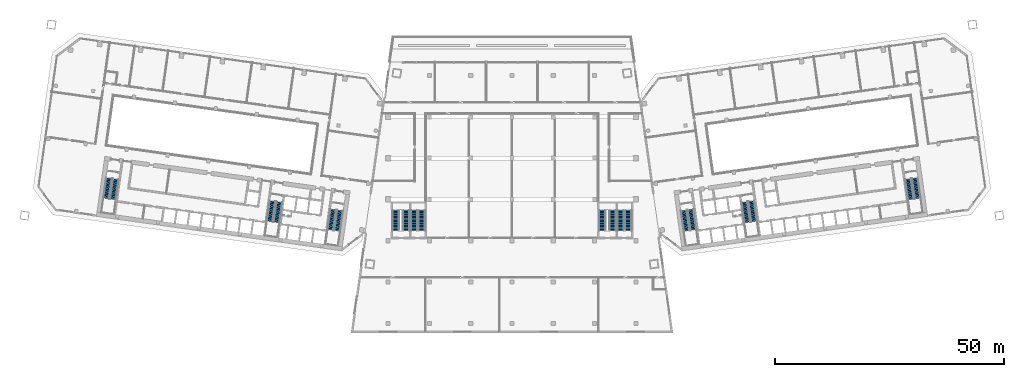
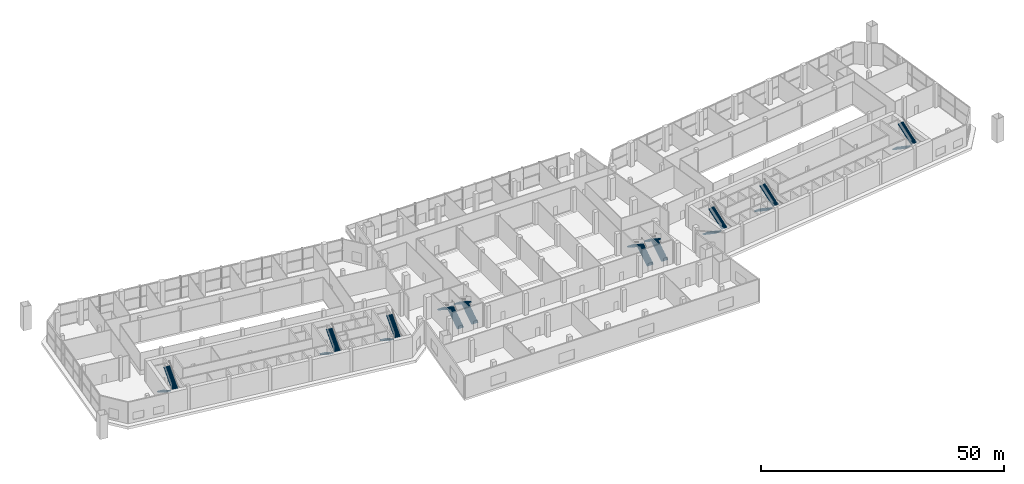
# One storey, part 20 of 24: 20 stair flights, 10 elements without a shape of their own.
"""IFC4 building model written with IfcOpenShell, lengths in metres."""

import ifcopenshell
import ifcopenshell.guid

model = None  # the IFC model being written
_history = None  # IfcOwnerHistory: only IFC2X3 demands one
_inside = {}  # id of a spatial element -> (the spatial element, [elements in it])
_under = {}  # id of a project, library or spatial element -> (it, [spatial elements below it])
_declared = {}  # id of a project -> (the project, [libraries it declares])
_typed = {}  # id of a type object -> (the type object, [elements of that type])
_made_of = {}  # id of a material, layer set ... -> (it, [elements and type objects made of it])


def new_model(schema):
    """Start an empty IFC model of exactly this schema.

    Asked for "IFC4X3", IfcOpenShell would pick the latest addendum, in which some entities
    have other attributes; the version numbers below select the first issue.
    IFC2X3 requires an IfcOwnerHistory on every rooted entity: one is made here for all.
    """
    global model, _history
    if schema == "IFC4X3":
        model = ifcopenshell.file(schema_version=(4, 3, 0, 0))
    else:
        model = ifcopenshell.file(schema=schema)
    _inside.clear()
    _under.clear()
    _declared.clear()
    _typed.clear()
    _made_of.clear()
    _history = None
    if model.schema == "IFC2X3":
        org = make("IfcOrganization", Name="unknown")
        user = make(
            "IfcPersonAndOrganization",
            ThePerson=make("IfcPerson", FamilyName="unknown"),
            TheOrganization=org,
        )
        app = make(
            "IfcApplication",
            ApplicationDeveloper=org,
            Version="unknown",
            ApplicationFullName="unknown",
            ApplicationIdentifier="unknown",
        )
        _history = make(
            "IfcOwnerHistory",
            OwningUser=user,
            OwningApplication=app,
            ChangeAction="ADDED",
            CreationDate=0,
        )
    return model


def make(cls, **values):
    """One entity of the class cls with the attributes given. An attribute that is None is left unset."""
    return model.create_entity(
        cls, **{name: value for name, value in values.items() if value is not None}
    )


def rooted(cls, **values):
    """An entity with a GlobalId (a new one), such as an element, a storey or a relation."""
    return make(cls, GlobalId=ifcopenshell.guid.new(), OwnerHistory=_history, **values)


def si_unit(unit_type, name, prefix=None):
    """IfcSIUnit, for example si_unit("LENGTHUNIT", "METRE", prefix="MILLI")."""
    return make("IfcSIUnit", UnitType=unit_type, Prefix=prefix, Name=name)


def assignment(units):
    """IfcUnitAssignment: the units of a project."""
    return None if units is None else make("IfcUnitAssignment", Units=units)


def point(xyz):
    """IfcCartesianPoint."""
    return None if xyz is None else make("IfcCartesianPoint", Coordinates=xyz)


def direction(xyz):
    """IfcDirection."""
    return None if xyz is None else make("IfcDirection", DirectionRatios=xyz)


def frame(location, z_axis=None, x_axis=None):
    """IfcAxis2Placement3D, a coordinate frame: its origin and axes. An axis left out is left unset."""
    return make(
        "IfcAxis2Placement3D",
        Location=point(location),
        Axis=direction(z_axis),
        RefDirection=direction(x_axis),
    )


def origin():
    """The frame at (0, 0, 0) with its axes left unset."""
    return frame((0.0, 0.0, 0.0))


def place(relative_to, where):
    """IfcLocalPlacement: puts the frame where relative to a parent placement (None: the world)."""
    return make(
        "IfcLocalPlacement", PlacementRelTo=relative_to, RelativePlacement=where
    )


def context(
    kind, dimensions, precision=None, world=None, true_north=None, identifier=None
):
    """IfcGeometricRepresentationContext, for example the 3D "Model" context."""
    return make(
        "IfcGeometricRepresentationContext",
        ContextIdentifier=identifier,
        ContextType=kind,
        CoordinateSpaceDimension=dimensions,
        Precision=precision,
        WorldCoordinateSystem=world,
        TrueNorth=true_north,
    )


def subcontext(parent, identifier, kind, view, scale=None):
    """IfcGeometricRepresentationSubContext, for example "Body" below "Model"."""
    return make(
        "IfcGeometricRepresentationSubContext",
        ContextIdentifier=identifier,
        ContextType=kind,
        ParentContext=parent,
        TargetScale=scale,
        TargetView=view,
    )


def project(units=None, contexts=None):
    """IfcProject with its units and contexts."""
    return rooted(
        "IfcProject",
        Name="project",
        RepresentationContexts=contexts,
        UnitsInContext=assignment(units),
    )


def spatial(cls, under=None, at=None, **own):
    """A site, building, storey or space (cls), placed at a placement, below another one or the project."""
    s = rooted(cls, ObjectPlacement=at, **own)
    if under is not None:
        _under.setdefault(under.id(), (under, []))[1].append(s)
    return s


def polyline(points):
    """IfcPolyline through the points."""
    return make("IfcPolyline", Points=[point(p) for p in points])


def outline(outer, holes=None, kind="AREA"):
    """IfcArbitraryClosedProfileDef: a profile drawn as a closed curve; with holes, ...WithVoids."""
    if holes is None:
        return make("IfcArbitraryClosedProfileDef", ProfileType=kind, OuterCurve=outer)
    return make(
        "IfcArbitraryProfileDefWithVoids",
        ProfileType=kind,
        OuterCurve=outer,
        InnerCurves=holes,
    )


def extrude(swept, where, along, depth):
    """IfcExtrudedAreaSolid: the profile swept, set in the frame where, extruded along a direction by depth."""
    return make(
        "IfcExtrudedAreaSolid",
        SweptArea=swept,
        Position=where,
        ExtrudedDirection=direction(along),
        Depth=depth,
    )


def shape(context_of_items, identifier, shape_type, items):
    """IfcShapeRepresentation: the items that make up one representation, for example the "Body"."""
    return make(
        "IfcShapeRepresentation",
        ContextOfItems=context_of_items,
        RepresentationIdentifier=identifier,
        RepresentationType=shape_type,
        Items=items,
    )


def material(Name=None, Category=None):
    """IfcMaterial."""
    return make("IfcMaterial", Name=Name, Category=Category)


def made_of(thing, what):
    """Note that an element or type object is made of a material, layer set ...; save() writes the relation."""
    if what is not None:
        _made_of.setdefault(what.id(), (what, []))[1].append(thing)
    return thing


def type_object(cls, material=None, **own):
    """A type object (cls), such as IfcWallType, which elements share."""
    return made_of(rooted(cls, **own), material)


def element(
    cls,
    number,
    at=None,
    inside=None,
    cuts=None,
    type_object=None,
    material=None,
    context=None,
    identifier="Body",
    shape_type=None,
    held_by="IfcProductDefinitionShape",
    body=None,
    shapes=None,
    **own,
):
    """One element of the class cls, such as IfcWall. Its Tag is "e" and its number.

    at: its placement. inside: the storey or other place that contains it. cuts: it is an
    opening in that element (IfcRelVoidsElement). A single representation is given by context,
    identifier, shape_type and body (its items); several are given by shapes. held_by: the class
    of the entity that holds the representations. save() writes the other relations.
    """
    e = rooted(cls, Tag="e%d" % number, ObjectPlacement=at, **own)
    if body is not None:
        shapes = [shape(context, identifier, shape_type, body)]
    if shapes is not None:
        e.Representation = make(held_by, Representations=shapes)
    if inside is not None:
        _inside.setdefault(inside.id(), (inside, []))[1].append(e)
    if cuts is not None:
        rooted(
            "IfcRelVoidsElement", RelatingBuildingElement=cuts, RelatedOpeningElement=e
        )
    if type_object is not None:
        _typed.setdefault(type_object.id(), (type_object, []))[1].append(e)
    return made_of(e, material)


def aggregate(whole, parts):
    """IfcRelAggregates: a whole, such as a stair, and the parts it consists of."""
    return rooted("IfcRelAggregates", RelatingObject=whole, RelatedObjects=parts)


def save(model, path):
    """Write the relations noted so far, then the file.

    IfcRelAggregates (storeys below a building ...), IfcRelContainedInSpatialStructure (elements
    in a storey), IfcRelDefinesByType, IfcRelAssociatesMaterial and IfcRelDeclares: one each for
    every whole, place, type object, material and project.
    """
    for whole, parts in _under.values():
        aggregate(whole, parts)
    for where, things in _inside.values():
        rooted(
            "IfcRelContainedInSpatialStructure",
            RelatedElements=things,
            RelatingStructure=where,
        )
    for kind, things in _typed.values():
        rooted("IfcRelDefinesByType", RelatedObjects=things, RelatingType=kind)
    for what, things in _made_of.values():
        rooted("IfcRelAssociatesMaterial", RelatedObjects=things, RelatingMaterial=what)
    for by, libraries in _declared.values():
        rooted("IfcRelDeclares", RelatingContext=by, RelatedDefinitions=libraries)
    model.write(path)


model = new_model("IFC4")

# Units and contexts
model_context = context("Model", 3, precision=1e-05, world=origin(), true_north=direction((0.0, 1.0)))
body_context = subcontext(model_context, "Body", "Model", "MODEL_VIEW")
ifc_project = project(units=[si_unit("LENGTHUNIT", "METRE"), si_unit("AREAUNIT", "SQUARE_METRE"), si_unit("VOLUMEUNIT", "CUBIC_METRE"), si_unit("PLANEANGLEUNIT", "RADIAN"), si_unit("MASSUNIT", "GRAM", prefix="KILO")], contexts=[model_context])

# Site, building, storey
site_placement = place(None, origin())
site = spatial("IfcSite", under=ifc_project, at=site_placement, CompositionType="ELEMENT")
building_placement = place(site_placement, origin())
building = spatial("IfcBuilding", under=site, at=building_placement, Name="Mirante Cascada Hotel Towers", CompositionType="ELEMENT")
storey_placement = place(building_placement, frame((0.0, 0.0, 17.5)))
storey = spatial("IfcBuildingStorey", under=building, at=storey_placement, Name="L02", CompositionType="ELEMENT", Elevation=17.5)

# Stair, stair flights
ifc_material_1 = material(Name="Concrete C35/45", Category="concrete")
stair_type_1 = type_object("IfcStairType", Name="Exit stair half-turn 1350 concrete C35/45", PredefinedType="HALF_TURN_STAIR", material=ifc_material_1)
stair_1_placement = place(storey_placement, origin())
stair_1 = element("IfcStair", 1, at=stair_1_placement, inside=storey, type_object=stair_type_1, Name="L02 Exit stair A", PredefinedType="HALF_TURN_STAIR")
ifc_material_2 = material(Name="Concrete C35/45", Category="concrete")
stair_flight_type_1 = type_object("IfcStairFlightType", Name="Exit stair flight 1350 concrete C35/45", PredefinedType="STRAIGHT", material=ifc_material_2)
stair_flight_1_placement = place(storey_placement, frame((-38.9417, -11.195, 0.0), z_axis=(0.0, 0.0, 1.0), x_axis=(-0.1391731, -0.9902681, 0.0)))
stair_flight_1 = element("IfcStairFlight", 2, at=stair_flight_1_placement, type_object=stair_flight_type_1, Name="ST1-A flight 1", NumberOfRisers=17, NumberOfTreads=16, PredefinedType="STRAIGHT", RiserHeight=0.176470588, TreadLength=0.28, context=body_context, shape_type="SweptSolid", body=[
    extrude(outline(polyline([(0.0, 0.0), (0.0, 0.1765), (0.28, 0.1765), (0.28, 0.3529), (0.56, 0.3529), (0.56, 0.5294), (0.84, 0.5294), (0.84, 0.7059), (1.12, 0.7059), (1.12, 0.8824), (1.4, 0.8824), (1.4, 1.0588), (1.68, 1.0588), (1.68, 1.2353), (1.96, 1.2353), (1.96, 1.4118), (2.24, 1.4118), (2.24, 1.5882), (2.52, 1.5882), (2.52, 1.7647), (2.8, 1.7647), (2.8, 1.9412), (3.08, 1.9412), (3.08, 2.1176), (3.36, 2.1176), (3.36, 2.2941), (3.64, 2.2941), (3.64, 2.4706), (3.92, 2.4706), (3.92, 2.6471), (4.2, 2.6471), (4.2, 2.8235), (4.48, 2.8235), (4.48, 3.0), (4.48, 2.6462), (0.2813, 0.0), (0.0, 0.0)])), frame((0.0, 0.675, 0.0), z_axis=(0.0, -1.0, 0.0), x_axis=(1.0, 0.0, 0.0)), (0.0, 0.0, 1.0), 1.35),
])
stair_flight_2_placement = place(storey_placement, frame((-38.0798, -15.8402, 3.0), z_axis=(0.0, 0.0, 1.0), x_axis=(0.1391731, 0.9902681, 0.0)))
stair_flight_2 = element("IfcStairFlight", 3, at=stair_flight_2_placement, type_object=stair_flight_type_1, Name="ST1-A flight 2", NumberOfRisers=17, NumberOfTreads=16, PredefinedType="STRAIGHT", RiserHeight=0.176470588, TreadLength=0.28, context=body_context, shape_type="SweptSolid", body=[
    extrude(outline(polyline([(0.0, 0.0), (0.0, 0.1765), (0.28, 0.1765), (0.28, 0.3529), (0.56, 0.3529), (0.56, 0.5294), (0.84, 0.5294), (0.84, 0.7059), (1.12, 0.7059), (1.12, 0.8824), (1.4, 0.8824), (1.4, 1.0588), (1.68, 1.0588), (1.68, 1.2353), (1.96, 1.2353), (1.96, 1.4118), (2.24, 1.4118), (2.24, 1.5882), (2.52, 1.5882), (2.52, 1.7647), (2.8, 1.7647), (2.8, 1.9412), (3.08, 1.9412), (3.08, 2.1176), (3.36, 2.1176), (3.36, 2.2941), (3.64, 2.2941), (3.64, 2.4706), (3.92, 2.4706), (3.92, 2.6471), (4.2, 2.6471), (4.2, 2.8235), (4.48, 2.8235), (4.48, 3.0), (4.48, 2.6462), (0.2813, 0.0), (0.0, 0.0)])), frame((0.0, 0.675, 0.0), z_axis=(0.0, -1.0, 0.0), x_axis=(1.0, 0.0, 0.0)), (0.0, 0.0, 1.0), 1.35),
])
aggregate(stair_1, [stair_flight_1, stair_flight_2])

stair_2_placement = place(storey_placement, origin())
stair_2 = element("IfcStair", 4, at=stair_2_placement, inside=storey, type_object=stair_type_1, Name="L02 Exit stair B", PredefinedType="HALF_TURN_STAIR")
stair_flight_3_placement = place(storey_placement, frame((-52.1618, -9.3371, 0.0), z_axis=(0.0, 0.0, 1.0), x_axis=(-0.1391731, -0.9902681, 0.0)))
stair_flight_3 = element("IfcStairFlight", 5, at=stair_flight_3_placement, type_object=stair_flight_type_1, Name="ST1-B flight 1", NumberOfRisers=17, NumberOfTreads=16, PredefinedType="STRAIGHT", RiserHeight=0.176470588, TreadLength=0.28, context=body_context, shape_type="SweptSolid", body=[
    extrude(outline(polyline([(0.0, 0.0), (0.0, 0.1765), (0.28, 0.1765), (0.28, 0.3529), (0.56, 0.3529), (0.56, 0.5294), (0.84, 0.5294), (0.84, 0.7059), (1.12, 0.7059), (1.12, 0.8824), (1.4, 0.8824), (1.4, 1.0588), (1.68, 1.0588), (1.68, 1.2353), (1.96, 1.2353), (1.96, 1.4118), (2.24, 1.4118), (2.24, 1.5882), (2.52, 1.5882), (2.52, 1.7647), (2.8, 1.7647), (2.8, 1.9412), (3.08, 1.9412), (3.08, 2.1176), (3.36, 2.1176), (3.36, 2.2941), (3.64, 2.2941), (3.64, 2.4706), (3.92, 2.4706), (3.92, 2.6471), (4.2, 2.6471), (4.2, 2.8235), (4.48, 2.8235), (4.48, 3.0), (4.48, 2.6462), (0.2813, 0.0), (0.0, 0.0)])), frame((0.0, 0.675, 0.0), z_axis=(0.0, -1.0, 0.0), x_axis=(1.0, 0.0, 0.0)), (0.0, 0.0, 1.0), 1.35),
])
stair_flight_4_placement = place(storey_placement, frame((-51.2999, -13.9822, 3.0), z_axis=(0.0, 0.0, 1.0), x_axis=(0.1391731, 0.9902681, 0.0)))
stair_flight_4 = element("IfcStairFlight", 6, at=stair_flight_4_placement, type_object=stair_flight_type_1, Name="ST1-B flight 2", NumberOfRisers=17, NumberOfTreads=16, PredefinedType="STRAIGHT", RiserHeight=0.176470588, TreadLength=0.28, context=body_context, shape_type="SweptSolid", body=[
    extrude(outline(polyline([(0.0, 0.0), (0.0, 0.1765), (0.28, 0.1765), (0.28, 0.3529), (0.56, 0.3529), (0.56, 0.5294), (0.84, 0.5294), (0.84, 0.7059), (1.12, 0.7059), (1.12, 0.8824), (1.4, 0.8824), (1.4, 1.0588), (1.68, 1.0588), (1.68, 1.2353), (1.96, 1.2353), (1.96, 1.4118), (2.24, 1.4118), (2.24, 1.5882), (2.52, 1.5882), (2.52, 1.7647), (2.8, 1.7647), (2.8, 1.9412), (3.08, 1.9412), (3.08, 2.1176), (3.36, 2.1176), (3.36, 2.2941), (3.64, 2.2941), (3.64, 2.4706), (3.92, 2.4706), (3.92, 2.6471), (4.2, 2.6471), (4.2, 2.8235), (4.48, 2.8235), (4.48, 3.0), (4.48, 2.6462), (0.2813, 0.0), (0.0, 0.0)])), frame((0.0, 0.675, 0.0), z_axis=(0.0, -1.0, 0.0), x_axis=(1.0, 0.0, 0.0)), (0.0, 0.0, 1.0), 1.35),
])
aggregate(stair_2, [stair_flight_3, stair_flight_4])

stair_3_placement = place(storey_placement, origin())
stair_3 = element("IfcStair", 7, at=stair_3_placement, inside=storey, type_object=stair_type_1, Name="L02 Exit stair C", PredefinedType="HALF_TURN_STAIR")
stair_flight_5_placement = place(storey_placement, frame((-87.8115, -4.3268, 0.0), z_axis=(0.0, 0.0, 1.0), x_axis=(-0.1391731, -0.9902681, 0.0)))
stair_flight_5 = element("IfcStairFlight", 8, at=stair_flight_5_placement, type_object=stair_flight_type_1, Name="ST1-C flight 1", NumberOfRisers=17, NumberOfTreads=16, PredefinedType="STRAIGHT", RiserHeight=0.176470588, TreadLength=0.28, context=body_context, shape_type="SweptSolid", body=[
    extrude(outline(polyline([(0.0, 0.0), (0.0, 0.1765), (0.28, 0.1765), (0.28, 0.3529), (0.56, 0.3529), (0.56, 0.5294), (0.84, 0.5294), (0.84, 0.7059), (1.12, 0.7059), (1.12, 0.8824), (1.4, 0.8824), (1.4, 1.0588), (1.68, 1.0588), (1.68, 1.2353), (1.96, 1.2353), (1.96, 1.4118), (2.24, 1.4118), (2.24, 1.5882), (2.52, 1.5882), (2.52, 1.7647), (2.8, 1.7647), (2.8, 1.9412), (3.08, 1.9412), (3.08, 2.1176), (3.36, 2.1176), (3.36, 2.2941), (3.64, 2.2941), (3.64, 2.4706), (3.92, 2.4706), (3.92, 2.6471), (4.2, 2.6471), (4.2, 2.8235), (4.48, 2.8235), (4.48, 3.0), (4.48, 2.6462), (0.2813, 0.0), (0.0, 0.0)])), frame((0.0, 0.675, 0.0), z_axis=(0.0, -1.0, 0.0), x_axis=(1.0, 0.0, 0.0)), (0.0, 0.0, 1.0), 1.35),
])
stair_flight_6_placement = place(storey_placement, frame((-86.9495, -8.972, 3.0), z_axis=(0.0, 0.0, 1.0), x_axis=(0.1391731, 0.9902681, 0.0)))
stair_flight_6 = element("IfcStairFlight", 9, at=stair_flight_6_placement, type_object=stair_flight_type_1, Name="ST1-C flight 2", NumberOfRisers=17, NumberOfTreads=16, PredefinedType="STRAIGHT", RiserHeight=0.176470588, TreadLength=0.28, context=body_context, shape_type="SweptSolid", body=[
    extrude(outline(polyline([(0.0, 0.0), (0.0, 0.1765), (0.28, 0.1765), (0.28, 0.3529), (0.56, 0.3529), (0.56, 0.5294), (0.84, 0.5294), (0.84, 0.7059), (1.12, 0.7059), (1.12, 0.8824), (1.4, 0.8824), (1.4, 1.0588), (1.68, 1.0588), (1.68, 1.2353), (1.96, 1.2353), (1.96, 1.4118), (2.24, 1.4118), (2.24, 1.5882), (2.52, 1.5882), (2.52, 1.7647), (2.8, 1.7647), (2.8, 1.9412), (3.08, 1.9412), (3.08, 2.1176), (3.36, 2.1176), (3.36, 2.2941), (3.64, 2.2941), (3.64, 2.4706), (3.92, 2.4706), (3.92, 2.6471), (4.2, 2.6471), (4.2, 2.8235), (4.48, 2.8235), (4.48, 3.0), (4.48, 2.6462), (0.2813, 0.0), (0.0, 0.0)])), frame((0.0, 0.675, 0.0), z_axis=(0.0, -1.0, 0.0), x_axis=(1.0, 0.0, 0.0)), (0.0, 0.0, 1.0), 1.35),
])
aggregate(stair_3, [stair_flight_5, stair_flight_6])

stair_4_placement = place(storey_placement, origin())
stair_4 = element("IfcStair", 10, at=stair_4_placement, inside=storey, type_object=stair_type_1, Name="L02 Exit stair A", PredefinedType="HALF_TURN_STAIR")
stair_flight_7_placement = place(storey_placement, frame((37.4563, -11.4038, 0.0), z_axis=(0.0, 0.0, 1.0), x_axis=(0.1391731, -0.9902681, 0.0)))
stair_flight_7 = element("IfcStairFlight", 11, at=stair_flight_7_placement, type_object=stair_flight_type_1, Name="ST2-A flight 1", NumberOfRisers=17, NumberOfTreads=16, PredefinedType="STRAIGHT", RiserHeight=0.176470588, TreadLength=0.28, context=body_context, shape_type="SweptSolid", body=[
    extrude(outline(polyline([(0.0, 0.0), (0.0, 0.1765), (0.28, 0.1765), (0.28, 0.3529), (0.56, 0.3529), (0.56, 0.5294), (0.84, 0.5294), (0.84, 0.7059), (1.12, 0.7059), (1.12, 0.8824), (1.4, 0.8824), (1.4, 1.0588), (1.68, 1.0588), (1.68, 1.2353), (1.96, 1.2353), (1.96, 1.4118), (2.24, 1.4118), (2.24, 1.5882), (2.52, 1.5882), (2.52, 1.7647), (2.8, 1.7647), (2.8, 1.9412), (3.08, 1.9412), (3.08, 2.1176), (3.36, 2.1176), (3.36, 2.2941), (3.64, 2.2941), (3.64, 2.4706), (3.92, 2.4706), (3.92, 2.6471), (4.2, 2.6471), (4.2, 2.8235), (4.48, 2.8235), (4.48, 3.0), (4.48, 2.6462), (0.2813, 0.0), (0.0, 0.0)])), frame((0.0, 0.675, 0.0), z_axis=(0.0, -1.0, 0.0), x_axis=(1.0, 0.0, 0.0)), (0.0, 0.0, 1.0), 1.35),
])
stair_flight_8_placement = place(storey_placement, frame((39.5652, -15.6314, 3.0), z_axis=(0.0, 0.0, 1.0), x_axis=(-0.1391731, 0.9902681, 0.0)))
stair_flight_8 = element("IfcStairFlight", 12, at=stair_flight_8_placement, type_object=stair_flight_type_1, Name="ST2-A flight 2", NumberOfRisers=17, NumberOfTreads=16, PredefinedType="STRAIGHT", RiserHeight=0.176470588, TreadLength=0.28, context=body_context, shape_type="SweptSolid", body=[
    extrude(outline(polyline([(0.0, 0.0), (0.0, 0.1765), (0.28, 0.1765), (0.28, 0.3529), (0.56, 0.3529), (0.56, 0.5294), (0.84, 0.5294), (0.84, 0.7059), (1.12, 0.7059), (1.12, 0.8824), (1.4, 0.8824), (1.4, 1.0588), (1.68, 1.0588), (1.68, 1.2353), (1.96, 1.2353), (1.96, 1.4118), (2.24, 1.4118), (2.24, 1.5882), (2.52, 1.5882), (2.52, 1.7647), (2.8, 1.7647), (2.8, 1.9412), (3.08, 1.9412), (3.08, 2.1176), (3.36, 2.1176), (3.36, 2.2941), (3.64, 2.2941), (3.64, 2.4706), (3.92, 2.4706), (3.92, 2.6471), (4.2, 2.6471), (4.2, 2.8235), (4.48, 2.8235), (4.48, 3.0), (4.48, 2.6462), (0.2813, 0.0), (0.0, 0.0)])), frame((0.0, 0.675, 0.0), z_axis=(0.0, -1.0, 0.0), x_axis=(1.0, 0.0, 0.0)), (0.0, 0.0, 1.0), 1.35),
])
aggregate(stair_4, [stair_flight_7, stair_flight_8])

stair_5_placement = place(storey_placement, origin())
stair_5 = element("IfcStair", 13, at=stair_5_placement, inside=storey, type_object=stair_type_1, Name="L02 Exit stair B", PredefinedType="HALF_TURN_STAIR")
stair_flight_9_placement = place(storey_placement, frame((50.6764, -9.5458, 0.0), z_axis=(0.0, 0.0, 1.0), x_axis=(0.1391731, -0.9902681, 0.0)))
stair_flight_9 = element("IfcStairFlight", 14, at=stair_flight_9_placement, type_object=stair_flight_type_1, Name="ST2-B flight 1", NumberOfRisers=17, NumberOfTreads=16, PredefinedType="STRAIGHT", RiserHeight=0.176470588, TreadLength=0.28, context=body_context, shape_type="SweptSolid", body=[
    extrude(outline(polyline([(0.0, 0.0), (0.0, 0.1765), (0.28, 0.1765), (0.28, 0.3529), (0.56, 0.3529), (0.56, 0.5294), (0.84, 0.5294), (0.84, 0.7059), (1.12, 0.7059), (1.12, 0.8824), (1.4, 0.8824), (1.4, 1.0588), (1.68, 1.0588), (1.68, 1.2353), (1.96, 1.2353), (1.96, 1.4118), (2.24, 1.4118), (2.24, 1.5882), (2.52, 1.5882), (2.52, 1.7647), (2.8, 1.7647), (2.8, 1.9412), (3.08, 1.9412), (3.08, 2.1176), (3.36, 2.1176), (3.36, 2.2941), (3.64, 2.2941), (3.64, 2.4706), (3.92, 2.4706), (3.92, 2.6471), (4.2, 2.6471), (4.2, 2.8235), (4.48, 2.8235), (4.48, 3.0), (4.48, 2.6462), (0.2813, 0.0), (0.0, 0.0)])), frame((0.0, 0.675, 0.0), z_axis=(0.0, -1.0, 0.0), x_axis=(1.0, 0.0, 0.0)), (0.0, 0.0, 1.0), 1.35),
])
stair_flight_10_placement = place(storey_placement, frame((52.7853, -13.7735, 3.0), z_axis=(0.0, 0.0, 1.0), x_axis=(-0.1391731, 0.9902681, 0.0)))
stair_flight_10 = element("IfcStairFlight", 15, at=stair_flight_10_placement, type_object=stair_flight_type_1, Name="ST2-B flight 2", NumberOfRisers=17, NumberOfTreads=16, PredefinedType="STRAIGHT", RiserHeight=0.176470588, TreadLength=0.28, context=body_context, shape_type="SweptSolid", body=[
    extrude(outline(polyline([(0.0, 0.0), (0.0, 0.1765), (0.28, 0.1765), (0.28, 0.3529), (0.56, 0.3529), (0.56, 0.5294), (0.84, 0.5294), (0.84, 0.7059), (1.12, 0.7059), (1.12, 0.8824), (1.4, 0.8824), (1.4, 1.0588), (1.68, 1.0588), (1.68, 1.2353), (1.96, 1.2353), (1.96, 1.4118), (2.24, 1.4118), (2.24, 1.5882), (2.52, 1.5882), (2.52, 1.7647), (2.8, 1.7647), (2.8, 1.9412), (3.08, 1.9412), (3.08, 2.1176), (3.36, 2.1176), (3.36, 2.2941), (3.64, 2.2941), (3.64, 2.4706), (3.92, 2.4706), (3.92, 2.6471), (4.2, 2.6471), (4.2, 2.8235), (4.48, 2.8235), (4.48, 3.0), (4.48, 2.6462), (0.2813, 0.0), (0.0, 0.0)])), frame((0.0, 0.675, 0.0), z_axis=(0.0, -1.0, 0.0), x_axis=(1.0, 0.0, 0.0)), (0.0, 0.0, 1.0), 1.35),
])
aggregate(stair_5, [stair_flight_9, stair_flight_10])

stair_6_placement = place(storey_placement, origin())
stair_6 = element("IfcStair", 16, at=stair_6_placement, inside=storey, type_object=stair_type_1, Name="L02 Exit stair C", PredefinedType="HALF_TURN_STAIR")
stair_flight_11_placement = place(storey_placement, frame((86.326, -4.5356, 0.0), z_axis=(0.0, 0.0, 1.0), x_axis=(0.1391731, -0.9902681, 0.0)))
stair_flight_11 = element("IfcStairFlight", 17, at=stair_flight_11_placement, type_object=stair_flight_type_1, Name="ST2-C flight 1", NumberOfRisers=17, NumberOfTreads=16, PredefinedType="STRAIGHT", RiserHeight=0.176470588, TreadLength=0.28, context=body_context, shape_type="SweptSolid", body=[
    extrude(outline(polyline([(0.0, 0.0), (0.0, 0.1765), (0.28, 0.1765), (0.28, 0.3529), (0.56, 0.3529), (0.56, 0.5294), (0.84, 0.5294), (0.84, 0.7059), (1.12, 0.7059), (1.12, 0.8824), (1.4, 0.8824), (1.4, 1.0588), (1.68, 1.0588), (1.68, 1.2353), (1.96, 1.2353), (1.96, 1.4118), (2.24, 1.4118), (2.24, 1.5882), (2.52, 1.5882), (2.52, 1.7647), (2.8, 1.7647), (2.8, 1.9412), (3.08, 1.9412), (3.08, 2.1176), (3.36, 2.1176), (3.36, 2.2941), (3.64, 2.2941), (3.64, 2.4706), (3.92, 2.4706), (3.92, 2.6471), (4.2, 2.6471), (4.2, 2.8235), (4.48, 2.8235), (4.48, 3.0), (4.48, 2.6462), (0.2813, 0.0), (0.0, 0.0)])), frame((0.0, 0.675, 0.0), z_axis=(0.0, -1.0, 0.0), x_axis=(1.0, 0.0, 0.0)), (0.0, 0.0, 1.0), 1.35),
])
stair_flight_12_placement = place(storey_placement, frame((88.4349, -8.7632, 3.0), z_axis=(0.0, 0.0, 1.0), x_axis=(-0.1391731, 0.9902681, 0.0)))
stair_flight_12 = element("IfcStairFlight", 18, at=stair_flight_12_placement, type_object=stair_flight_type_1, Name="ST2-C flight 2", NumberOfRisers=17, NumberOfTreads=16, PredefinedType="STRAIGHT", RiserHeight=0.176470588, TreadLength=0.28, context=body_context, shape_type="SweptSolid", body=[
    extrude(outline(polyline([(0.0, 0.0), (0.0, 0.1765), (0.28, 0.1765), (0.28, 0.3529), (0.56, 0.3529), (0.56, 0.5294), (0.84, 0.5294), (0.84, 0.7059), (1.12, 0.7059), (1.12, 0.8824), (1.4, 0.8824), (1.4, 1.0588), (1.68, 1.0588), (1.68, 1.2353), (1.96, 1.2353), (1.96, 1.4118), (2.24, 1.4118), (2.24, 1.5882), (2.52, 1.5882), (2.52, 1.7647), (2.8, 1.7647), (2.8, 1.9412), (3.08, 1.9412), (3.08, 2.1176), (3.36, 2.1176), (3.36, 2.2941), (3.64, 2.2941), (3.64, 2.4706), (3.92, 2.4706), (3.92, 2.6471), (4.2, 2.6471), (4.2, 2.8235), (4.48, 2.8235), (4.48, 3.0), (4.48, 2.6462), (0.2813, 0.0), (0.0, 0.0)])), frame((0.0, 0.675, 0.0), z_axis=(0.0, -1.0, 0.0), x_axis=(1.0, 0.0, 0.0)), (0.0, 0.0, 1.0), 1.35),
])
aggregate(stair_6, [stair_flight_11, stair_flight_12])

ifc_material_3 = material(Name="Concrete C35/45", Category="concrete")
stair_type_2 = type_object("IfcStairType", Name="Podium exit stair half-turn 1500 concrete C35/45", PredefinedType="HALF_TURN_STAIR", material=ifc_material_3)
stair_7_placement = place(storey_placement, origin())
stair_7 = element("IfcStair", 19, at=stair_7_placement, inside=storey, type_object=stair_type_2, Name="L02 Podium exit stair 3", PredefinedType="HALF_TURN_STAIR")
ifc_material_4 = material(Name="Concrete C35/45", Category="concrete")
stair_flight_type_2 = type_object("IfcStairFlightType", Name="Podium exit stair flight 1500 concrete C35/45", PredefinedType="STRAIGHT", material=ifc_material_4)
stair_flight_13_placement = place(storey_placement, frame((-19.675, -15.775, 0.0), z_axis=(0.0, 0.0, 1.0), x_axis=(0.0, 1.0, 0.0)))
stair_flight_13 = element("IfcStairFlight", 20, at=stair_flight_13_placement, type_object=stair_flight_type_2, Name="PS1 flight 1", NumberOfRisers=17, NumberOfTreads=16, PredefinedType="STRAIGHT", RiserHeight=0.176470588, TreadLength=0.28, context=body_context, shape_type="SweptSolid", body=[
    extrude(outline(polyline([(0.0, 0.0), (0.0, 0.1765), (0.28, 0.1765), (0.28, 0.3529), (0.56, 0.3529), (0.56, 0.5294), (0.84, 0.5294), (0.84, 0.7059), (1.12, 0.7059), (1.12, 0.8824), (1.4, 0.8824), (1.4, 1.0588), (1.68, 1.0588), (1.68, 1.2353), (1.96, 1.2353), (1.96, 1.4118), (2.24, 1.4118), (2.24, 1.5882), (2.52, 1.5882), (2.52, 1.7647), (2.8, 1.7647), (2.8, 1.9412), (3.08, 1.9412), (3.08, 2.1176), (3.36, 2.1176), (3.36, 2.2941), (3.64, 2.2941), (3.64, 2.4706), (3.92, 2.4706), (3.92, 2.6471), (4.2, 2.6471), (4.2, 2.8235), (4.48, 2.8235), (4.48, 3.0), (4.48, 2.6462), (0.2813, 0.0), (0.0, 0.0)])), frame((0.0, 0.75, 0.0), z_axis=(0.0, -1.0, 0.0), x_axis=(1.0, 0.0, 0.0)), (0.0, 0.0, 1.0), 1.5),
])
stair_flight_14_placement = place(storey_placement, frame((-21.325, -11.295, 3.0), z_axis=(0.0, 0.0, 1.0), x_axis=(0.0, -1.0, 0.0)))
stair_flight_14 = element("IfcStairFlight", 21, at=stair_flight_14_placement, type_object=stair_flight_type_2, Name="PS1 flight 2", NumberOfRisers=17, NumberOfTreads=16, PredefinedType="STRAIGHT", RiserHeight=0.176470588, TreadLength=0.28, context=body_context, shape_type="SweptSolid", body=[
    extrude(outline(polyline([(0.0, 0.0), (0.0, 0.1765), (0.28, 0.1765), (0.28, 0.3529), (0.56, 0.3529), (0.56, 0.5294), (0.84, 0.5294), (0.84, 0.7059), (1.12, 0.7059), (1.12, 0.8824), (1.4, 0.8824), (1.4, 1.0588), (1.68, 1.0588), (1.68, 1.2353), (1.96, 1.2353), (1.96, 1.4118), (2.24, 1.4118), (2.24, 1.5882), (2.52, 1.5882), (2.52, 1.7647), (2.8, 1.7647), (2.8, 1.9412), (3.08, 1.9412), (3.08, 2.1176), (3.36, 2.1176), (3.36, 2.2941), (3.64, 2.2941), (3.64, 2.4706), (3.92, 2.4706), (3.92, 2.6471), (4.2, 2.6471), (4.2, 2.8235), (4.48, 2.8235), (4.48, 3.0), (4.48, 2.6462), (0.2813, 0.0), (0.0, 0.0)])), frame((0.0, 0.75, 0.0), z_axis=(0.0, -1.0, 0.0), x_axis=(1.0, 0.0, 0.0)), (0.0, 0.0, 1.0), 1.5),
])
aggregate(stair_7, [stair_flight_13, stair_flight_14])

stair_8_placement = place(storey_placement, origin())
stair_8 = element("IfcStair", 22, at=stair_8_placement, inside=storey, type_object=stair_type_2, Name="L02 Podium exit stair 5", PredefinedType="HALF_TURN_STAIR")
stair_flight_15_placement = place(storey_placement, frame((-23.075, -15.775, 0.0), z_axis=(0.0, 0.0, 1.0), x_axis=(0.0, 1.0, 0.0)))
stair_flight_15 = element("IfcStairFlight", 23, at=stair_flight_15_placement, type_object=stair_flight_type_2, Name="PS3 flight 1", NumberOfRisers=17, NumberOfTreads=16, PredefinedType="STRAIGHT", RiserHeight=0.176470588, TreadLength=0.28, context=body_context, shape_type="SweptSolid", body=[
    extrude(outline(polyline([(0.0, 0.0), (0.0, 0.1765), (0.28, 0.1765), (0.28, 0.3529), (0.56, 0.3529), (0.56, 0.5294), (0.84, 0.5294), (0.84, 0.7059), (1.12, 0.7059), (1.12, 0.8824), (1.4, 0.8824), (1.4, 1.0588), (1.68, 1.0588), (1.68, 1.2353), (1.96, 1.2353), (1.96, 1.4118), (2.24, 1.4118), (2.24, 1.5882), (2.52, 1.5882), (2.52, 1.7647), (2.8, 1.7647), (2.8, 1.9412), (3.08, 1.9412), (3.08, 2.1176), (3.36, 2.1176), (3.36, 2.2941), (3.64, 2.2941), (3.64, 2.4706), (3.92, 2.4706), (3.92, 2.6471), (4.2, 2.6471), (4.2, 2.8235), (4.48, 2.8235), (4.48, 3.0), (4.48, 2.6462), (0.2813, 0.0), (0.0, 0.0)])), frame((0.0, 0.75, 0.0), z_axis=(0.0, -1.0, 0.0), x_axis=(1.0, 0.0, 0.0)), (0.0, 0.0, 1.0), 1.5),
])
stair_flight_16_placement = place(storey_placement, frame((-25.325, -11.295, 3.0), z_axis=(0.0, 0.0, 1.0), x_axis=(0.0, -1.0, 0.0)))
stair_flight_16 = element("IfcStairFlight", 24, at=stair_flight_16_placement, type_object=stair_flight_type_2, Name="PS3 flight 2", NumberOfRisers=17, NumberOfTreads=16, PredefinedType="STRAIGHT", RiserHeight=0.176470588, TreadLength=0.28, context=body_context, shape_type="SweptSolid", body=[
    extrude(outline(polyline([(0.0, 0.0), (0.0, 0.1765), (0.28, 0.1765), (0.28, 0.3529), (0.56, 0.3529), (0.56, 0.5294), (0.84, 0.5294), (0.84, 0.7059), (1.12, 0.7059), (1.12, 0.8824), (1.4, 0.8824), (1.4, 1.0588), (1.68, 1.0588), (1.68, 1.2353), (1.96, 1.2353), (1.96, 1.4118), (2.24, 1.4118), (2.24, 1.5882), (2.52, 1.5882), (2.52, 1.7647), (2.8, 1.7647), (2.8, 1.9412), (3.08, 1.9412), (3.08, 2.1176), (3.36, 2.1176), (3.36, 2.2941), (3.64, 2.2941), (3.64, 2.4706), (3.92, 2.4706), (3.92, 2.6471), (4.2, 2.6471), (4.2, 2.8235), (4.48, 2.8235), (4.48, 3.0), (4.48, 2.6462), (0.2813, 0.0), (0.0, 0.0)])), frame((0.0, 0.75, 0.0), z_axis=(0.0, -1.0, 0.0), x_axis=(1.0, 0.0, 0.0)), (0.0, 0.0, 1.0), 1.5),
])
aggregate(stair_8, [stair_flight_15, stair_flight_16])

stair_9_placement = place(storey_placement, origin())
stair_9 = element("IfcStair", 25, at=stair_9_placement, inside=storey, type_object=stair_type_2, Name="L02 Podium exit stair 4", PredefinedType="HALF_TURN_STAIR")
stair_flight_17_placement = place(storey_placement, frame((25.325, -15.775, 0.0), z_axis=(0.0, 0.0, 1.0), x_axis=(0.0, 1.0, 0.0)))
stair_flight_17 = element("IfcStairFlight", 26, at=stair_flight_17_placement, type_object=stair_flight_type_2, Name="PS2 flight 1", NumberOfRisers=17, NumberOfTreads=16, PredefinedType="STRAIGHT", RiserHeight=0.176470588, TreadLength=0.28, context=body_context, shape_type="SweptSolid", body=[
    extrude(outline(polyline([(0.0, 0.0), (0.0, 0.1765), (0.28, 0.1765), (0.28, 0.3529), (0.56, 0.3529), (0.56, 0.5294), (0.84, 0.5294), (0.84, 0.7059), (1.12, 0.7059), (1.12, 0.8824), (1.4, 0.8824), (1.4, 1.0588), (1.68, 1.0588), (1.68, 1.2353), (1.96, 1.2353), (1.96, 1.4118), (2.24, 1.4118), (2.24, 1.5882), (2.52, 1.5882), (2.52, 1.7647), (2.8, 1.7647), (2.8, 1.9412), (3.08, 1.9412), (3.08, 2.1176), (3.36, 2.1176), (3.36, 2.2941), (3.64, 2.2941), (3.64, 2.4706), (3.92, 2.4706), (3.92, 2.6471), (4.2, 2.6471), (4.2, 2.8235), (4.48, 2.8235), (4.48, 3.0), (4.48, 2.6462), (0.2813, 0.0), (0.0, 0.0)])), frame((0.0, 0.75, 0.0), z_axis=(0.0, -1.0, 0.0), x_axis=(1.0, 0.0, 0.0)), (0.0, 0.0, 1.0), 1.5),
])
stair_flight_18_placement = place(storey_placement, frame((23.675, -11.295, 3.0), z_axis=(0.0, 0.0, 1.0), x_axis=(0.0, -1.0, 0.0)))
stair_flight_18 = element("IfcStairFlight", 27, at=stair_flight_18_placement, type_object=stair_flight_type_2, Name="PS2 flight 2", NumberOfRisers=17, NumberOfTreads=16, PredefinedType="STRAIGHT", RiserHeight=0.176470588, TreadLength=0.28, context=body_context, shape_type="SweptSolid", body=[
    extrude(outline(polyline([(0.0, 0.0), (0.0, 0.1765), (0.28, 0.1765), (0.28, 0.3529), (0.56, 0.3529), (0.56, 0.5294), (0.84, 0.5294), (0.84, 0.7059), (1.12, 0.7059), (1.12, 0.8824), (1.4, 0.8824), (1.4, 1.0588), (1.68, 1.0588), (1.68, 1.2353), (1.96, 1.2353), (1.96, 1.4118), (2.24, 1.4118), (2.24, 1.5882), (2.52, 1.5882), (2.52, 1.7647), (2.8, 1.7647), (2.8, 1.9412), (3.08, 1.9412), (3.08, 2.1176), (3.36, 2.1176), (3.36, 2.2941), (3.64, 2.2941), (3.64, 2.4706), (3.92, 2.4706), (3.92, 2.6471), (4.2, 2.6471), (4.2, 2.8235), (4.48, 2.8235), (4.48, 3.0), (4.48, 2.6462), (0.2813, 0.0), (0.0, 0.0)])), frame((0.0, 0.75, 0.0), z_axis=(0.0, -1.0, 0.0), x_axis=(1.0, 0.0, 0.0)), (0.0, 0.0, 1.0), 1.5),
])
aggregate(stair_9, [stair_flight_17, stair_flight_18])

stair_10_placement = place(storey_placement, origin())
stair_10 = element("IfcStair", 28, at=stair_10_placement, inside=storey, type_object=stair_type_2, Name="L02 Podium exit stair 6", PredefinedType="HALF_TURN_STAIR")
stair_flight_19_placement = place(storey_placement, frame((21.925, -15.775, 0.0), z_axis=(0.0, 0.0, 1.0), x_axis=(0.0, 1.0, 0.0)))
stair_flight_19 = element("IfcStairFlight", 29, at=stair_flight_19_placement, type_object=stair_flight_type_2, Name="PS4 flight 1", NumberOfRisers=17, NumberOfTreads=16, PredefinedType="STRAIGHT", RiserHeight=0.176470588, TreadLength=0.28, context=body_context, shape_type="SweptSolid", body=[
    extrude(outline(polyline([(0.0, 0.0), (0.0, 0.1765), (0.28, 0.1765), (0.28, 0.3529), (0.56, 0.3529), (0.56, 0.5294), (0.84, 0.5294), (0.84, 0.7059), (1.12, 0.7059), (1.12, 0.8824), (1.4, 0.8824), (1.4, 1.0588), (1.68, 1.0588), (1.68, 1.2353), (1.96, 1.2353), (1.96, 1.4118), (2.24, 1.4118), (2.24, 1.5882), (2.52, 1.5882), (2.52, 1.7647), (2.8, 1.7647), (2.8, 1.9412), (3.08, 1.9412), (3.08, 2.1176), (3.36, 2.1176), (3.36, 2.2941), (3.64, 2.2941), (3.64, 2.4706), (3.92, 2.4706), (3.92, 2.6471), (4.2, 2.6471), (4.2, 2.8235), (4.48, 2.8235), (4.48, 3.0), (4.48, 2.6462), (0.2813, 0.0), (0.0, 0.0)])), frame((0.0, 0.75, 0.0), z_axis=(0.0, -1.0, 0.0), x_axis=(1.0, 0.0, 0.0)), (0.0, 0.0, 1.0), 1.5),
])
stair_flight_20_placement = place(storey_placement, frame((19.675, -11.295, 3.0), z_axis=(0.0, 0.0, 1.0), x_axis=(0.0, -1.0, 0.0)))
stair_flight_20 = element("IfcStairFlight", 30, at=stair_flight_20_placement, type_object=stair_flight_type_2, Name="PS4 flight 2", NumberOfRisers=17, NumberOfTreads=16, PredefinedType="STRAIGHT", RiserHeight=0.176470588, TreadLength=0.28, context=body_context, shape_type="SweptSolid", body=[
    extrude(outline(polyline([(0.0, 0.0), (0.0, 0.1765), (0.28, 0.1765), (0.28, 0.3529), (0.56, 0.3529), (0.56, 0.5294), (0.84, 0.5294), (0.84, 0.7059), (1.12, 0.7059), (1.12, 0.8824), (1.4, 0.8824), (1.4, 1.0588), (1.68, 1.0588), (1.68, 1.2353), (1.96, 1.2353), (1.96, 1.4118), (2.24, 1.4118), (2.24, 1.5882), (2.52, 1.5882), (2.52, 1.7647), (2.8, 1.7647), (2.8, 1.9412), (3.08, 1.9412), (3.08, 2.1176), (3.36, 2.1176), (3.36, 2.2941), (3.64, 2.2941), (3.64, 2.4706), (3.92, 2.4706), (3.92, 2.6471), (4.2, 2.6471), (4.2, 2.8235), (4.48, 2.8235), (4.48, 3.0), (4.48, 2.6462), (0.2813, 0.0), (0.0, 0.0)])), frame((0.0, 0.75, 0.0), z_axis=(0.0, -1.0, 0.0), x_axis=(1.0, 0.0, 0.0)), (0.0, 0.0, 1.0), 1.5),
])
aggregate(stair_10, [stair_flight_19, stair_flight_20])

save(model, "model.ifc")
